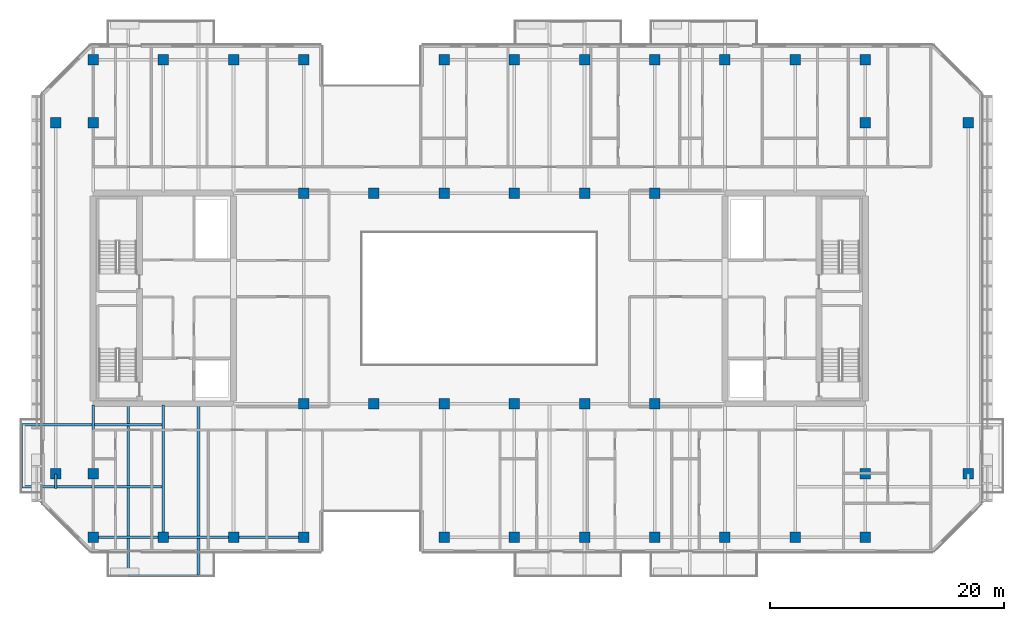
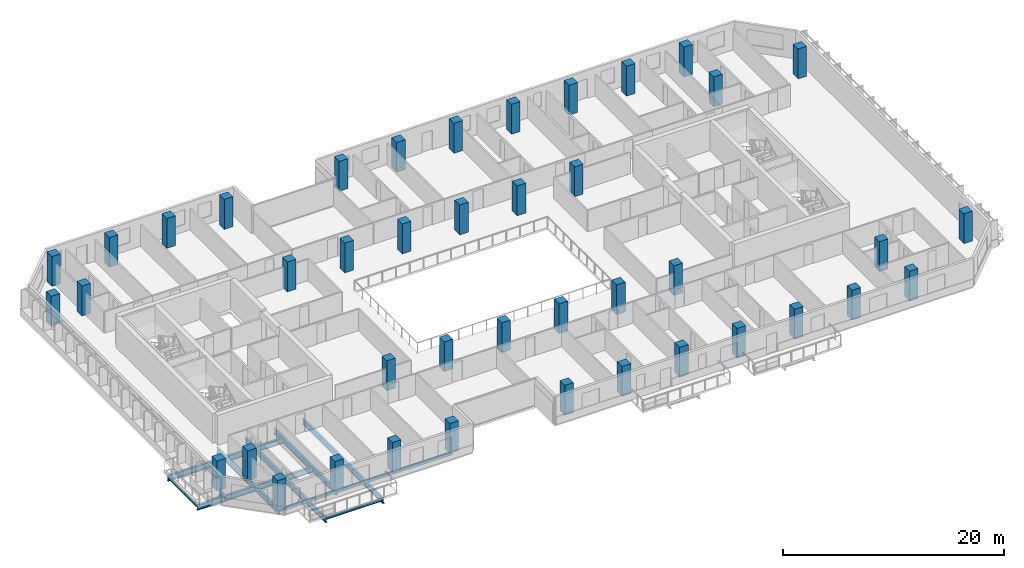
# One storey, part 1 of 19: 42 columns, 12 beams.
"""IFC4 building model written with IfcOpenShell, lengths in metres."""

from ifc_helpers import new_model, si_unit, direction, frame, origin, origin_2d, place, context, subcontext, project, spatial, rectangle, hollow_rectangle, i_section, extrude, material, material_profile, profile_set, type_object, element, save


model = new_model("IFC4")

# Units and contexts
model_context = context("Model", 3, precision=1e-05, world=origin(), true_north=direction((0.0, 1.0)))
body_context = subcontext(model_context, "Body", "Model", "MODEL_VIEW")
ifc_project = project(units=[si_unit("LENGTHUNIT", "METRE"), si_unit("AREAUNIT", "SQUARE_METRE"), si_unit("VOLUMEUNIT", "CUBIC_METRE"), si_unit("PLANEANGLEUNIT", "RADIAN"), si_unit("MASSUNIT", "GRAM", prefix="KILO")], contexts=[model_context])

# Site, building, storey
site_placement = place(None, origin())
site = spatial("IfcSite", under=ifc_project, at=site_placement, CompositionType="ELEMENT")
building_placement = place(site_placement, origin())
building = spatial("IfcBuilding", under=site, at=building_placement, Name="Tanjung Sevakor Pilgrim Tower", CompositionType="ELEMENT")
storey_placement = place(building_placement, frame((0.0, 0.0, 135.300048828125)))
storey = spatial("IfcBuildingStorey", under=building, at=storey_placement, Name="L37", CompositionType="ELEMENT", Elevation=135.300048828125)

# Columns
ifc_material_1 = material(Name="Concrete C60/75", Category="concrete")
ifc_material_profile_1 = material_profile(ifc_material_1, rectangle(XDim=0.89990234375, YDim=0.89990234375, at=origin_2d()))
ifc_profile_set_1 = profile_set([ifc_material_profile_1], Name="Concrete C60/75")
column_type = type_object("IfcColumnType", Name="COL-C-T900-RC_900x900", PredefinedType="COLUMN", material=ifc_profile_set_1)
for number, where, z_axis, x_axis, name in (
    (1, (42.0, 24.60009765625, 0.0), (0.0, 0.0, 1.0), (1.0, 0.0, 0.0), "L37 Column SPW-042-246"),
    (2, (42.0, 42.60009765625, 0.0), (0.0, 0.0, 1.0), (1.0, 0.0, 0.0), "L37 Column SPW-042-426"),
    (3, (48.0, 24.60009765625, 0.0), (0.0, 0.0, 1.0), (1.0, 0.0, 0.0), "L37 Column SPW-048-246"),
    (4, (48.0, 42.60009765625, 0.0), (0.0, 0.0, 1.0), (1.0, 0.0, 0.0), "L37 Column SPW-048-426"),
    (5, (54.0, 24.60009765625, 0.0), (0.0, 0.0, 1.0), (1.0, 0.0, 0.0), "L37 Column SPE-054-246"),
    (6, (54.0, 42.60009765625, 0.0), (0.0, 0.0, 1.0), (1.0, 0.0, 0.0), "L37 Column SPE-054-426"),
    (7, (60.0, 24.60009765625, 0.0), (0.0, 0.0, 1.0), (1.0, 0.0, 0.0), "L37 Column SPE-060-246"),
    (8, (60.0, 42.60009765625, 0.0), (0.0, 0.0, 1.0), (1.0, 0.0, 0.0), "L37 Column SPE-060-426"),
    (9, (66.0, 24.60009765625, 0.0), (0.0, 0.0, 1.0), (1.0, 0.0, 0.0), "L37 Column SPE-066-246"),
    (10, (66.0, 42.60009765625, 0.0), (0.0, 0.0, 1.0), (1.0, 0.0, 0.0), "L37 Column SPE-066-426"),
    (11, (72.0, 24.60009765625, 0.0), (0.0, 0.0, 1.0), (1.0, 0.0, 0.0), "L37 Column SPE-072-246"),
    (12, (72.0, 42.60009765625, 0.0), (0.0, 0.0, 1.0), (1.0, 0.0, 0.0), "L37 Column SPE-072-426"),
    (13, (20.800048828125, 18.60009765625, 0.0), (0.0, 0.0, 1.0), (1.0, 0.0, 0.0), "L37 Column TCE-0208-186"),
    (14, (20.800048828125, 48.60009765625, 0.0), (0.0, 0.0, 1.0), (1.0, 0.0, 0.0), "L37 Column TCE-0208-486"),
    (15, (24.0, 18.60009765625, 0.0), (0.0, 0.0, 1.0), (1.0, 0.0, 0.0), "L37 Column TCE-0240-186"),
    (16, (24.0, 48.60009765625, 0.0), (0.0, 0.0, 1.0), (1.0, 0.0, 0.0), "L37 Column TCE-0240-486"),
    (17, (90.0, 18.60009765625, 0.0), (0.0, 0.0, 1.0), (1.0, 0.0, 0.0), "L37 Column TCE-0900-186"),
    (18, (90.0, 48.60009765625, 0.0), (0.0, 0.0, 1.0), (1.0, 0.0, 0.0), "L37 Column TCE-0900-486"),
    (19, (98.800048828125, 18.60009765625, 0.0), (0.0, 0.0, 1.0), (1.0, 0.0, 0.0), "L37 Column TCE-0988-186"),
    (20, (98.800048828125, 48.60009765625, 0.0), (0.0, 0.0, 1.0), (1.0, 0.0, 0.0), "L37 Column TCE-0988-486"),
    (21, (24.0, 13.199951171875, 0.0), (0.0, 0.0, 1.0), (1.0, 0.0, 0.0), "L37 Column TC3-024-132"),
    (22, (24.0, 54.0, 0.0), (0.0, 0.0, 1.0), (1.0, 0.0, 0.0), "L37 Column TC3-024-540"),
    (23, (30.0, 13.199951171875, 0.0), (0.0, 0.0, 1.0), (1.0, 0.0, 0.0), "L37 Column TC3-030-132"),
    (24, (30.0, 54.0, 0.0), (0.0, 0.0, 1.0), (1.0, 0.0, 0.0), "L37 Column TC3-030-540"),
    (25, (36.0, 13.199951171875, 0.0), (0.0, 0.0, 1.0), (1.0, 0.0, 0.0), "L37 Column TC3-036-132"),
    (26, (36.0, 54.0, 0.0), (0.0, 0.0, 1.0), (1.0, 0.0, 0.0), "L37 Column TC3-036-540"),
    (27, (42.0, 13.199951171875, 0.0), (0.0, 0.0, 1.0), (1.0, 0.0, 0.0), "L37 Column TC3-042-132"),
    (28, (42.0, 54.0, 0.0), (0.0, 0.0, 1.0), (1.0, 0.0, 0.0), "L37 Column TC3-042-540"),
    (29, (54.0, 13.199951171875, 0.0), (0.0, 0.0, 1.0), (1.0, 0.0, 0.0), "L37 Column TC3-054-132"),
    (30, (54.0, 54.0, 0.0), (0.0, 0.0, 1.0), (1.0, 0.0, 0.0), "L37 Column TC3-054-540"),
    (31, (60.0, 13.199951171875, 0.0), (0.0, 0.0, 1.0), (1.0, 0.0, 0.0), "L37 Column TC3-060-132"),
    (32, (60.0, 54.0, 0.0), (0.0, 0.0, 1.0), (1.0, 0.0, 0.0), "L37 Column TC3-060-540"),
    (33, (66.0, 13.199951171875, 0.0), (0.0, 0.0, 1.0), (1.0, 0.0, 0.0), "L37 Column TC3-066-132"),
    (34, (66.0, 54.0, 0.0), (0.0, 0.0, 1.0), (1.0, 0.0, 0.0), "L37 Column TC3-066-540"),
    (35, (72.0, 13.199951171875, 0.0), (0.0, 0.0, 1.0), (1.0, 0.0, 0.0), "L37 Column TC3-072-132"),
    (36, (72.0, 54.0, 0.0), (0.0, 0.0, 1.0), (1.0, 0.0, 0.0), "L37 Column TC3-072-540"),
    (37, (78.0, 13.199951171875, 0.0), (0.0, 0.0, 1.0), (1.0, 0.0, 0.0), "L37 Column TC3-078-132"),
    (38, (78.0, 54.0, 0.0), (0.0, 0.0, 1.0), (1.0, 0.0, 0.0), "L37 Column TC3-078-540"),
    (39, (84.0, 13.199951171875, 0.0), (0.0, 0.0, 1.0), (1.0, 0.0, 0.0), "L37 Column TC3-084-132"),
    (40, (84.0, 54.0, 0.0), (0.0, 0.0, 1.0), (1.0, 0.0, 0.0), "L37 Column TC3-084-540"),
    (41, (90.0, 13.199951171875, 0.0), (0.0, 0.0, 1.0), (1.0, 0.0, 0.0), "L37 Column TC3-090-132"),
    (42, (90.0, 54.0, 0.0), (0.0, 0.0, 1.0), (1.0, 0.0, 0.0), "L37 Column TC3-090-540"),
):
    element("IfcColumn", number, at=place(storey_placement, frame(where, z_axis=z_axis, x_axis=x_axis)), inside=storey, type_object=column_type, Name=name, PredefinedType="COLUMN", context=body_context, shape_type="SweptSolid", body=[
        extrude(rectangle(XDim=0.89990234375, YDim=0.89990234375, at=origin_2d()), origin(), (0.0, 0.0, 1.0), 3.300048828125),
    ])

# Beams
ifc_material_2 = material(Name="Steel S355J2", Category="steel")
ifc_material_profile_2 = material_profile(ifc_material_2, i_section(OverallWidth=0.22900390625, OverallDepth=0.6123046875, WebThickness=0.011962890625, FlangeThickness=0.01953125, FilletRadius=0.0126953125, at=origin_2d()))
ifc_profile_set_2 = profile_set([ifc_material_profile_2], Name="Steel S355J2")
beam_type_1 = type_object("IfcBeamType", Name="BM-B-G4-UB_610x229x125", PredefinedType="BEAM", material=ifc_profile_set_2)
beam_1_placement = place(storey_placement, frame((20.800048828125, 18.60009765625, -0.526123046875), z_axis=(0.0, -1.0, 0.0), x_axis=(1.0, 0.0, 0.0)))
element("IfcBeam", 43, at=beam_1_placement, inside=storey, type_object=beam_type_1, Name="L37 Short-End Edge Extension S-W", PredefinedType="BEAM", context=body_context, shape_type="SweptSolid", body=[
    extrude(i_section(OverallWidth=0.22900390625, OverallDepth=0.6123046875, WebThickness=0.011962890625, FlangeThickness=0.01953125, FilletRadius=0.0126953125, at=origin_2d()), origin(), (0.0, 0.0, 1.0), 1.25),
])
for number, where, z_axis, x_axis, name in (
    (44, (30.0, 17.5, -0.526123046875), (-1.0, 0.0, 0.0), (0.0, -1.0, 0.0), "L37 Balcony Overhanging Beam MAIN-W1-1"),
    (45, (30.0, 22.800048828125, -0.526123046875), (-1.0, 0.0, 0.0), (0.0, -1.0, 0.0), "L37 Balcony Overhanging Beam MAIN-W1-2"),
):
    element("IfcBeam", number, at=place(storey_placement, frame(where, z_axis=z_axis, x_axis=x_axis)), inside=storey, type_object=beam_type_1, Name=name, PredefinedType="BEAM", context=body_context, shape_type="SweptSolid", body=[
        extrude(i_section(OverallWidth=0.22900390625, OverallDepth=0.6123046875, WebThickness=0.011962890625, FlangeThickness=0.01953125, FilletRadius=0.0126953125, at=origin_2d()), origin(), (0.0, 0.0, 1.0), 12.1298828125),
    ])
beam_2_placement = place(storey_placement, frame((24.0, 13.199951171875, -0.526123046875), z_axis=(0.0, 1.0, 0.0), x_axis=(-1.0, 0.0, 0.0)))
element("IfcBeam", 46, at=beam_2_placement, inside=storey, type_object=beam_type_1, Name="L37 MAIN Girder 001", PredefinedType="BEAM", context=body_context, shape_type="SweptSolid", body=[
    extrude(i_section(OverallWidth=0.22900390625, OverallDepth=0.6123046875, WebThickness=0.011962890625, FlangeThickness=0.01953125, FilletRadius=0.0126953125, at=origin_2d()), origin(), (0.0, 0.0, 1.0), 11.284912109375),
])
beam_3_placement = place(storey_placement, frame((27.0, 24.48486328125, -0.526123046875), z_axis=(0.0, -1.0, 0.0), x_axis=(1.0, 0.0, 0.0)))
element("IfcBeam", 47, at=beam_3_placement, inside=storey, type_object=beam_type_1, Name="L37 Balcony Cantilever Beam MAIN-S1-1", PredefinedType="BEAM", context=body_context, shape_type="SweptSolid", body=[
    extrude(i_section(OverallWidth=0.22900390625, OverallDepth=0.6123046875, WebThickness=0.011962890625, FlangeThickness=0.01953125, FilletRadius=0.0126953125, at=origin_2d()), origin(), (0.0, 0.0, 1.0), 14.56494140625),
])
beam_4_placement = place(storey_placement, frame((30.0, 13.199951171875, -0.526123046875), z_axis=(0.0, 1.0, 0.0), x_axis=(-1.0, 0.0, 0.0)))
element("IfcBeam", 48, at=beam_4_placement, inside=storey, type_object=beam_type_1, Name="L37 MAIN Girder 003", PredefinedType="BEAM", context=body_context, shape_type="SweptSolid", body=[
    extrude(i_section(OverallWidth=0.22900390625, OverallDepth=0.6123046875, WebThickness=0.011962890625, FlangeThickness=0.01953125, FilletRadius=0.0126953125, at=origin_2d()), origin(), (0.0, 0.0, 1.0), 11.284912109375),
])
beam_5_placement = place(storey_placement, frame((33.0, 24.48486328125, -0.526123046875), z_axis=(0.0, -1.0, 0.0), x_axis=(1.0, 0.0, 0.0)))
element("IfcBeam", 49, at=beam_5_placement, inside=storey, type_object=beam_type_1, Name="L37 Balcony Cantilever Beam MAIN-S1-2", PredefinedType="BEAM", context=body_context, shape_type="SweptSolid", body=[
    extrude(i_section(OverallWidth=0.22900390625, OverallDepth=0.6123046875, WebThickness=0.011962890625, FlangeThickness=0.01953125, FilletRadius=0.0126953125, at=origin_2d()), origin(), (0.0, 0.0, 1.0), 14.56494140625),
])
ifc_material_3 = material(Name="Steel S355J2", Category="steel")
ifc_material_profile_3 = material_profile(ifc_material_3, i_section(OverallWidth=0.146484375, OverallDepth=0.256103515625, WebThickness=0.00634765625, FlangeThickness=0.010986328125, FilletRadius=0.007568359375, at=origin_2d()))
ifc_profile_set_3 = profile_set([ifc_material_profile_3], Name="Steel S355J2")
beam_type_2 = type_object("IfcBeamType", Name="BM-B-J6-UB_254x146x37", PredefinedType="JOIST", material=ifc_profile_set_3)
beam_6_placement = place(storey_placement, frame((27.0, 9.919921875, -0.328125), z_axis=(1.0, 0.0, 0.0), x_axis=(0.0, 1.0, 0.0)))
element("IfcBeam", 50, at=beam_6_placement, inside=storey, type_object=beam_type_2, Name="L37 Balcony Rim Tie MAIN-S1", PredefinedType="JOIST", context=body_context, shape_type="SweptSolid", body=[
    extrude(i_section(OverallWidth=0.146484375, OverallDepth=0.256103515625, WebThickness=0.00634765625, FlangeThickness=0.010986328125, FilletRadius=0.007568359375, at=origin_2d()), origin(), (0.0, 0.0, 1.0), 6.0),
])
beam_7_placement = place(storey_placement, frame((17.8701171875, 17.5, -0.328125), z_axis=(0.0, 1.0, 0.0), x_axis=(-1.0, 0.0, 0.0)))
element("IfcBeam", 51, at=beam_7_placement, inside=storey, type_object=beam_type_2, Name="L37 Balcony Rim Tie MAIN-W1", PredefinedType="JOIST", context=body_context, shape_type="SweptSolid", body=[
    extrude(i_section(OverallWidth=0.146484375, OverallDepth=0.256103515625, WebThickness=0.00634765625, FlangeThickness=0.010986328125, FilletRadius=0.007568359375, at=origin_2d()), origin(), (0.0, 0.0, 1.0), 5.300048828125),
])
ifc_material_4 = material(Name="Steel S355J2", Category="steel")
ifc_material_profile_4 = material_profile(ifc_material_4, hollow_rectangle(XDim=0.199951171875, YDim=0.300048828125, WallThickness=0.012451171875, at=origin_2d()))
ifc_profile_set_4 = profile_set([ifc_material_profile_4], Name="Steel S355J2")
beam_type_3 = type_object("IfcBeamType", Name="BM-B-SP3-RHS_300x200x12.5", PredefinedType="SPANDREL", material=ifc_profile_set_4)
for number, where, z_axis, x_axis, name in (
    (52, (24.0, 13.199951171875, -0.3701171875), (1.0, 0.0, 0.0), (0.0, 1.0, 0.0), "L37 Spandrel MAIN S-01"),
    (53, (30.0, 13.199951171875, -0.3701171875), (1.0, 0.0, 0.0), (0.0, 1.0, 0.0), "L37 Spandrel MAIN S-03"),
    (54, (36.0, 13.199951171875, -0.3701171875), (1.0, 0.0, 0.0), (0.0, 1.0, 0.0), "L37 Spandrel MAIN S-05"),
):
    element("IfcBeam", number, at=place(storey_placement, frame(where, z_axis=z_axis, x_axis=x_axis)), inside=storey, type_object=beam_type_3, Name=name, PredefinedType="SPANDREL", context=body_context, shape_type="SweptSolid", body=[
        extrude(hollow_rectangle(XDim=0.199951171875, YDim=0.300048828125, WallThickness=0.012451171875, at=origin_2d()), origin(), (0.0, 0.0, 1.0), 6.0),
    ])

save(model, "model.ifc")
